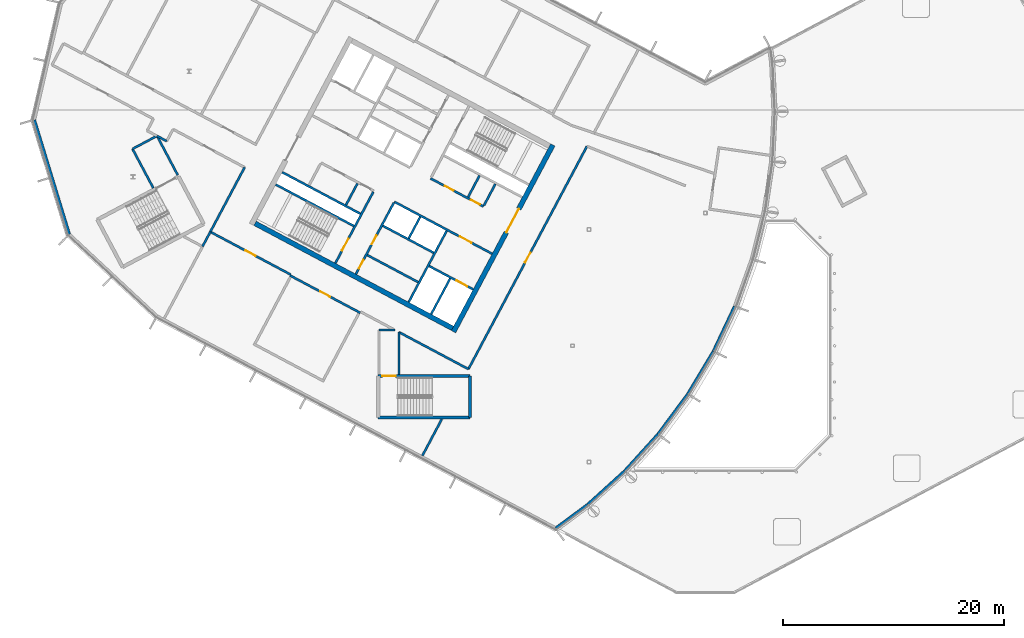
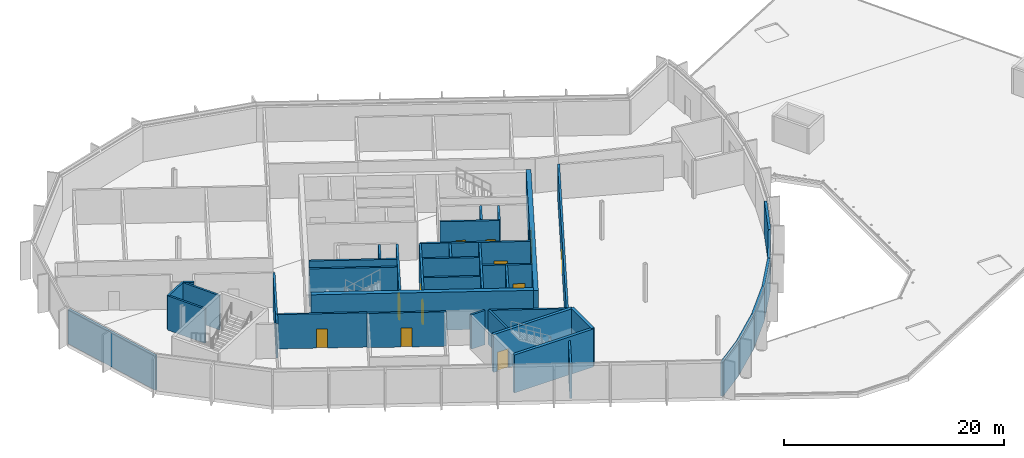
# One storey, part 5 of 16: 40 walls, 12 doors, 12 openings.
"""IFC4 building model written with IfcOpenShell, lengths in metres."""

import ifcopenshell
import ifcopenshell.guid

model = None  # the IFC model being written
_history = None  # IfcOwnerHistory: only IFC2X3 demands one
_inside = {}  # id of a spatial element -> (the spatial element, [elements in it])
_under = {}  # id of a project, library or spatial element -> (it, [spatial elements below it])
_declared = {}  # id of a project -> (the project, [libraries it declares])
_typed = {}  # id of a type object -> (the type object, [elements of that type])
_made_of = {}  # id of a material, layer set ... -> (it, [elements and type objects made of it])


def new_model(schema):
    """Start an empty IFC model of exactly this schema.

    Asked for "IFC4X3", IfcOpenShell would pick the latest addendum, in which some entities
    have other attributes; the version numbers below select the first issue.
    IFC2X3 requires an IfcOwnerHistory on every rooted entity: one is made here for all.
    """
    global model, _history
    if schema == "IFC4X3":
        model = ifcopenshell.file(schema_version=(4, 3, 0, 0))
    else:
        model = ifcopenshell.file(schema=schema)
    _inside.clear()
    _under.clear()
    _declared.clear()
    _typed.clear()
    _made_of.clear()
    _history = None
    if model.schema == "IFC2X3":
        org = make("IfcOrganization", Name="unknown")
        user = make(
            "IfcPersonAndOrganization",
            ThePerson=make("IfcPerson", FamilyName="unknown"),
            TheOrganization=org,
        )
        app = make(
            "IfcApplication",
            ApplicationDeveloper=org,
            Version="unknown",
            ApplicationFullName="unknown",
            ApplicationIdentifier="unknown",
        )
        _history = make(
            "IfcOwnerHistory",
            OwningUser=user,
            OwningApplication=app,
            ChangeAction="ADDED",
            CreationDate=0,
        )
    return model


def make(cls, **values):
    """One entity of the class cls with the attributes given. An attribute that is None is left unset."""
    return model.create_entity(
        cls, **{name: value for name, value in values.items() if value is not None}
    )


def rooted(cls, **values):
    """An entity with a GlobalId (a new one), such as an element, a storey or a relation."""
    return make(cls, GlobalId=ifcopenshell.guid.new(), OwnerHistory=_history, **values)


def si_unit(unit_type, name, prefix=None):
    """IfcSIUnit, for example si_unit("LENGTHUNIT", "METRE", prefix="MILLI")."""
    return make("IfcSIUnit", UnitType=unit_type, Prefix=prefix, Name=name)


def assignment(units):
    """IfcUnitAssignment: the units of a project."""
    return None if units is None else make("IfcUnitAssignment", Units=units)


def point(xyz):
    """IfcCartesianPoint."""
    return None if xyz is None else make("IfcCartesianPoint", Coordinates=xyz)


def direction(xyz):
    """IfcDirection."""
    return None if xyz is None else make("IfcDirection", DirectionRatios=xyz)


def frame(location, z_axis=None, x_axis=None):
    """IfcAxis2Placement3D, a coordinate frame: its origin and axes. An axis left out is left unset."""
    return make(
        "IfcAxis2Placement3D",
        Location=point(location),
        Axis=direction(z_axis),
        RefDirection=direction(x_axis),
    )


def frame_2d(location, x_axis=None):
    """IfcAxis2Placement2D, a coordinate frame in the plane: its origin and x axis."""
    return make(
        "IfcAxis2Placement2D", Location=point(location), RefDirection=direction(x_axis)
    )


def origin():
    """The frame at (0, 0, 0) with its axes left unset."""
    return frame((0.0, 0.0, 0.0))


def place(relative_to, where):
    """IfcLocalPlacement: puts the frame where relative to a parent placement (None: the world)."""
    return make(
        "IfcLocalPlacement", PlacementRelTo=relative_to, RelativePlacement=where
    )


def context(
    kind, dimensions, precision=None, world=None, true_north=None, identifier=None
):
    """IfcGeometricRepresentationContext, for example the 3D "Model" context."""
    return make(
        "IfcGeometricRepresentationContext",
        ContextIdentifier=identifier,
        ContextType=kind,
        CoordinateSpaceDimension=dimensions,
        Precision=precision,
        WorldCoordinateSystem=world,
        TrueNorth=true_north,
    )


def subcontext(parent, identifier, kind, view, scale=None):
    """IfcGeometricRepresentationSubContext, for example "Body" below "Model"."""
    return make(
        "IfcGeometricRepresentationSubContext",
        ContextIdentifier=identifier,
        ContextType=kind,
        ParentContext=parent,
        TargetScale=scale,
        TargetView=view,
    )


def project(units=None, contexts=None):
    """IfcProject with its units and contexts."""
    return rooted(
        "IfcProject",
        Name="project",
        RepresentationContexts=contexts,
        UnitsInContext=assignment(units),
    )


def spatial(cls, under=None, at=None, **own):
    """A site, building, storey or space (cls), placed at a placement, below another one or the project."""
    s = rooted(cls, ObjectPlacement=at, **own)
    if under is not None:
        _under.setdefault(under.id(), (under, []))[1].append(s)
    return s


def profile(cls, at=None, kind="AREA", **sizes):
    """A parametric profile (cls). Its sizes go by their IFC names, for example OverallWidth=200.0."""
    return make(cls, ProfileType=kind, Position=at, **sizes)


def rectangle(**sizes):
    """IfcRectangleProfileDef."""
    return profile("IfcRectangleProfileDef", **sizes)


def extrude(swept, where, along, depth):
    """IfcExtrudedAreaSolid: the profile swept, set in the frame where, extruded along a direction by depth."""
    return make(
        "IfcExtrudedAreaSolid",
        SweptArea=swept,
        Position=where,
        ExtrudedDirection=direction(along),
        Depth=depth,
    )


def shape(context_of_items, identifier, shape_type, items):
    """IfcShapeRepresentation: the items that make up one representation, for example the "Body"."""
    return make(
        "IfcShapeRepresentation",
        ContextOfItems=context_of_items,
        RepresentationIdentifier=identifier,
        RepresentationType=shape_type,
        Items=items,
    )


def material(Name=None, Category=None):
    """IfcMaterial."""
    return make("IfcMaterial", Name=Name, Category=Category)


def layer(
    of_material, thickness, ventilated=None, Name=None, Category=None, Priority=None
):
    """IfcMaterialLayer: one layer of a wall or slab, of a material (None: an air gap)."""
    return make(
        "IfcMaterialLayer",
        Material=of_material,
        LayerThickness=thickness,
        IsVentilated=ventilated,
        Name=Name,
        Category=Category,
        Priority=Priority,
    )


def layer_set(layers, Name=None):
    """IfcMaterialLayerSet."""
    return make("IfcMaterialLayerSet", MaterialLayers=layers, LayerSetName=Name)


def made_of(thing, what):
    """Note that an element or type object is made of a material, layer set ...; save() writes the relation."""
    if what is not None:
        _made_of.setdefault(what.id(), (what, []))[1].append(thing)
    return thing


def type_object(cls, material=None, **own):
    """A type object (cls), such as IfcWallType, which elements share."""
    return made_of(rooted(cls, **own), material)


def element(
    cls,
    number,
    at=None,
    inside=None,
    cuts=None,
    type_object=None,
    material=None,
    context=None,
    identifier="Body",
    shape_type=None,
    held_by="IfcProductDefinitionShape",
    body=None,
    shapes=None,
    **own,
):
    """One element of the class cls, such as IfcWall. Its Tag is "e" and its number.

    at: its placement. inside: the storey or other place that contains it. cuts: it is an
    opening in that element (IfcRelVoidsElement). A single representation is given by context,
    identifier, shape_type and body (its items); several are given by shapes. held_by: the class
    of the entity that holds the representations. save() writes the other relations.
    """
    e = rooted(cls, Tag="e%d" % number, ObjectPlacement=at, **own)
    if body is not None:
        shapes = [shape(context, identifier, shape_type, body)]
    if shapes is not None:
        e.Representation = make(held_by, Representations=shapes)
    if inside is not None:
        _inside.setdefault(inside.id(), (inside, []))[1].append(e)
    if cuts is not None:
        rooted(
            "IfcRelVoidsElement", RelatingBuildingElement=cuts, RelatedOpeningElement=e
        )
    if type_object is not None:
        _typed.setdefault(type_object.id(), (type_object, []))[1].append(e)
    return made_of(e, material)


def fill(opening, filler):
    """IfcRelFillsElement: the door or window that sits in an opening."""
    return rooted(
        "IfcRelFillsElement",
        RelatingOpeningElement=opening,
        RelatedBuildingElement=filler,
    )


def aggregate(whole, parts):
    """IfcRelAggregates: a whole, such as a stair, and the parts it consists of."""
    return rooted("IfcRelAggregates", RelatingObject=whole, RelatedObjects=parts)


def save(model, path):
    """Write the relations noted so far, then the file.

    IfcRelAggregates (storeys below a building ...), IfcRelContainedInSpatialStructure (elements
    in a storey), IfcRelDefinesByType, IfcRelAssociatesMaterial and IfcRelDeclares: one each for
    every whole, place, type object, material and project.
    """
    for whole, parts in _under.values():
        aggregate(whole, parts)
    for where, things in _inside.values():
        rooted(
            "IfcRelContainedInSpatialStructure",
            RelatedElements=things,
            RelatingStructure=where,
        )
    for kind, things in _typed.values():
        rooted("IfcRelDefinesByType", RelatedObjects=things, RelatingType=kind)
    for what, things in _made_of.values():
        rooted("IfcRelAssociatesMaterial", RelatedObjects=things, RelatingMaterial=what)
    for by, libraries in _declared.values():
        rooted("IfcRelDeclares", RelatingContext=by, RelatedDefinitions=libraries)
    model.write(path)


model = new_model("IFC4")

# Units and contexts
model_context = context("Model", 3, precision=1e-05, world=origin(), true_north=direction((0.0, 1.0)))
body_context = subcontext(model_context, "Body", "Model", "MODEL_VIEW")
ifc_project = project(units=[si_unit("LENGTHUNIT", "METRE"), si_unit("AREAUNIT", "SQUARE_METRE"), si_unit("VOLUMEUNIT", "CUBIC_METRE"), si_unit("PLANEANGLEUNIT", "RADIAN"), si_unit("MASSUNIT", "GRAM", prefix="KILO")], contexts=[model_context])

# Site, building, storey
site_placement = place(None, origin())
site = spatial("IfcSite", under=ifc_project, at=site_placement, CompositionType="ELEMENT")
building_placement = place(site_placement, origin())
building = spatial("IfcBuilding", under=site, at=building_placement, Name="Cormorant Relay Tower", CompositionType="ELEMENT")
storey_placement = place(building_placement, frame((0.0, 0.0, 328.199951171875)))
storey = spatial("IfcBuildingStorey", under=building, at=storey_placement, Name="C1", CompositionType="ELEMENT", Elevation=328.199951171875)

# Walls
ifc_material_1 = material(Name="Concrete 40 MPa", Category="concrete")
ifc_layer_1 = layer(ifc_material_1, 0.199951171875)
ifc_layer_set_1 = layer_set([ifc_layer_1], Name="Core internal wall 200")
wall_type_1 = type_object("IfcWallType", Name="Core internal wall 200", PredefinedType="SOLIDWALL", material=ifc_layer_set_1)
wall_1_placement = place(storey_placement, frame((-20.39013671875, 15.371826171875, 0.0), z_axis=(0.0, 0.0, 1.0), x_axis=(-0.4694473164, -0.882960484464, 0.0)))
element("IfcWall", 1, at=wall_1_placement, inside=storey, type_object=wall_type_1, Name="C1 core A shaft and room wall", PredefinedType="SOLIDWALL", context=body_context, shape_type="SweptSolid", body=[
    extrude(rectangle(XDim=2.199951171875, YDim=0.199951171875, at=frame_2d((1.10009765625, 0.0))), origin(), (0.0, 0.0, 1.0), 4.199951171875),
])
wall_2_placement = place(storey_placement, frame((-25.744140625, 11.64990234375, 0.0), z_axis=(0.0, 0.0, 1.0), x_axis=(-0.469487830541, -0.882938942948, 0.0)))
element("IfcWall", 2, at=wall_2_placement, inside=storey, type_object=wall_type_1, Name="C1 core A shaft and room wall", PredefinedType="SOLIDWALL", context=body_context, shape_type="SweptSolid", body=[
    extrude(rectangle(XDim=2.2001953125, YDim=0.199951171875, at=frame_2d((1.10009765625, 0.0))), origin(), (0.0, 0.0, 1.0), 4.199951171875),
])
wall_3_placement = place(storey_placement, frame((-31.41259765625, 14.663818359375, 0.0), z_axis=(0.0, 0.0, 1.0), x_axis=(-0.469533832133, -0.882914480843, 0.0)))
element("IfcWall", 3, at=wall_3_placement, inside=storey, type_object=wall_type_1, Name="C1 core A shaft and room wall", PredefinedType="SOLIDWALL", context=body_context, shape_type="SweptSolid", body=[
    extrude(rectangle(XDim=2.199951171875, YDim=0.199951171875, at=frame_2d((1.10009765625, 0.0))), origin(), (0.0, 0.0, 1.0), 4.199951171875),
])
wall_4_placement = place(storey_placement, frame((-25.936767578125, 5.74951171875, 0.0), z_axis=(0.0, 0.0, 1.0), x_axis=(-0.882934506056, 0.469496174655, 0.0)))
element("IfcWall", 4, at=wall_4_placement, inside=storey, type_object=wall_type_1, Name="C1 core A shaft and room wall", PredefinedType="SOLIDWALL", context=body_context, shape_type="SweptSolid", body=[
    extrude(rectangle(XDim=5.199951171875, YDim=0.199951171875, at=frame_2d((2.60009765625, 0.0))), origin(), (0.0, 0.0, 1.0), 4.199951171875),
])
ifc_material_2 = material(Name="Concrete 50 MPa", Category="concrete")
ifc_layer_2 = layer(ifc_material_2, 0.199951171875)
ifc_layer_set_2 = layer_set([ifc_layer_2], Name="Core shaft wall 200")
wall_type_2 = type_object("IfcWallType", Name="Core shaft wall 200", PredefinedType="SHEAR", material=ifc_layer_set_2)
wall_5_placement = place(storey_placement, frame((-23.04296875, 6.07958984375, 0.0), z_axis=(0.0, 0.0, 1.0), x_axis=(-0.469494272526, -0.882935517501, 0.0)))
element("IfcWall", 5, at=wall_5_placement, inside=storey, type_object=wall_type_2, Name="C1 core A shaft wall", PredefinedType="SHEAR", context=body_context, shape_type="SweptSolid", body=[
    extrude(rectangle(XDim=3.64990234375, YDim=0.199951171875, at=frame_2d((1.824951171875, 0.0))), origin(), (0.0, 0.0, 1.0), 4.199951171875),
])
wall_6_placement = place(storey_placement, frame((-18.959716796875, 14.611328125, 0.0), z_axis=(0.0, 0.0, 1.0), x_axis=(-0.4694473164, -0.882960484464, 0.0)))
element("IfcWall", 6, at=wall_6_placement, inside=storey, type_object=wall_type_2, Name="C1 core A shaft wall", PredefinedType="SHEAR", context=body_context, shape_type="SweptSolid", body=[
    extrude(rectangle(XDim=2.199951171875, YDim=0.199951171875, at=frame_2d((1.10009765625, 0.0))), origin(), (0.0, 0.0, 1.0), 4.199951171875),
])
wall_7_placement = place(storey_placement, frame((-23.360107421875, 10.38232421875, 0.0), z_axis=(0.0, 0.0, 1.0), x_axis=(-0.469480409012, -0.88294288918, 0.0)))
element("IfcWall", 7, at=wall_7_placement, inside=storey, type_object=wall_type_2, Name="C1 core A shaft wall", PredefinedType="SHEAR", context=body_context, shape_type="SweptSolid", body=[
    extrude(rectangle(XDim=7.300048828125, YDim=0.199951171875, at=frame_2d((3.64990234375, 0.0))), origin(), (0.0, 0.0, 1.0), 4.199951171875),
])

# Wall, openings, doors
wall_8_placement = place(storey_placement, frame((-28.128173828125, 12.91748046875, 0.0), z_axis=(0.0, 0.0, 1.0), x_axis=(-0.469454336211, -0.882956752176, 0.0)))
wall_8 = element("IfcWall", 8, at=wall_8_placement, inside=storey, type_object=wall_type_2, Name="C1 core A shaft wall", PredefinedType="SHEAR", context=body_context, shape_type="SweptSolid", body=[
    extrude(rectangle(XDim=7.300048828125, YDim=0.199951171875, at=frame_2d((3.64990234375, 0.0))), origin(), (0.0, 0.0, 1.0), 4.199951171875),
])
opening_1_placement = place(wall_8_placement, frame((3.35009765625, 0.0, 0.0)))
opening_1 = element("IfcOpeningElement", 9, at=opening_1_placement, cuts=wall_8, Name="Opening CDD-358", PredefinedType="OPENING", context=body_context, shape_type="SweptSolid", body=[
    extrude(rectangle(XDim=0.89990234375, YDim=2.10009765625, at=frame_2d((0.449951171875, 1.050048828125))), frame((0.0, 0.10986328125, 0.0), z_axis=(0.0, -1.0, 0.0), x_axis=(1.0, 0.0, 0.0)), (0.0, 0.0, 1.0), 0.219970703125),
])
opening_2_placement = place(wall_8_placement, frame((5.85009765625, 0.0, 0.0)))
opening_2 = element("IfcOpeningElement", 10, at=opening_2_placement, cuts=wall_8, Name="Opening CDD-359", PredefinedType="OPENING", context=body_context, shape_type="SweptSolid", body=[
    extrude(rectangle(XDim=0.89990234375, YDim=2.10009765625, at=frame_2d((0.449951171875, 1.050048828125))), frame((0.0, 0.10986328125, 0.0), z_axis=(0.0, -1.0, 0.0), x_axis=(1.0, 0.0, 0.0)), (0.0, 0.0, 1.0), 0.219970703125),
])
ifc_material_3 = material(Name="Steel fire door", Category="steel")
door_type_1 = type_object("IfcDoorType", Name="Core room door 900x2100", OperationType="SINGLE_SWING_LEFT", PredefinedType="DOOR", material=ifc_material_3)
door_1_placement = place(opening_1_placement, origin())
door_1 = element("IfcDoor", 11, at=door_1_placement, inside=storey, type_object=door_type_1, Name="Core room door 900x2100", OperationType="SINGLE_SWING_LEFT", OverallHeight=2.10009765625, OverallWidth=0.89990234375, PredefinedType="DOOR", context=body_context, shape_type="SweptSolid", body=[
    extrude(rectangle(XDim=0.89990234375, YDim=2.10009765625, at=frame_2d((0.449951171875, 1.050048828125))), frame((0.0, 0.02490234375, 0.0), z_axis=(0.0, -1.0, 0.0), x_axis=(1.0, 0.0, 0.0)), (0.0, 0.0, 1.0), 0.050048828125),
])
fill(opening_1, door_1)
door_2_placement = place(opening_2_placement, origin())
door_2 = element("IfcDoor", 12, at=door_2_placement, inside=storey, type_object=door_type_1, Name="Core room door 900x2100", OperationType="SINGLE_SWING_LEFT", OverallHeight=2.10009765625, OverallWidth=0.89990234375, PredefinedType="DOOR", context=body_context, shape_type="SweptSolid", body=[
    extrude(rectangle(XDim=0.89990234375, YDim=2.10009765625, at=frame_2d((0.449951171875, 1.050048828125))), frame((0.0, 0.02490234375, 0.0), z_axis=(0.0, -1.0, 0.0), x_axis=(1.0, 0.0, 0.0)), (0.0, 0.0, 1.0), 0.050048828125),
])
fill(opening_2, door_2)

# Wall, opening, door
wall_9_placement = place(storey_placement, frame((-29.982421875, 13.9033203125, 0.0), z_axis=(0.0, 0.0, 1.0), x_axis=(-0.469454336211, -0.882956752176, 0.0)))
wall_9 = element("IfcWall", 13, at=wall_9_placement, inside=storey, type_object=wall_type_2, Name="C1 core A shaft wall", PredefinedType="SHEAR", context=body_context, shape_type="SweptSolid", body=[
    extrude(rectangle(XDim=7.300048828125, YDim=0.199951171875, at=frame_2d((3.64990234375, 0.0))), origin(), (0.0, 0.0, 1.0), 4.199951171875),
])
opening_3_placement = place(wall_9_placement, frame((4.800048828125, 0.0, 0.0)))
opening_3 = element("IfcOpeningElement", 14, at=opening_3_placement, cuts=wall_9, Name="Opening CDB-045", PredefinedType="OPENING", context=body_context, shape_type="SweptSolid", body=[
    extrude(rectangle(XDim=1.199951171875, YDim=2.10009765625, at=frame_2d((0.60009765625, 1.050048828125))), frame((0.0, 0.10986328125, 0.0), z_axis=(0.0, -1.0, 0.0), x_axis=(1.0, 0.0, 0.0)), (0.0, 0.0, 1.0), 0.219970703125),
])
ifc_material_4 = material(Name="Steel fire door", Category="steel")
door_type_2 = type_object("IfcDoorType", Name="Core stair door 1200x2100", OperationType="SINGLE_SWING_LEFT", PredefinedType="DOOR", material=ifc_material_4)
door_3_placement = place(opening_3_placement, frame((1.199951171875, 0.0, 0.0), z_axis=(0.0, 0.0, 1.0), x_axis=(-1.0, 0.0, 0.0)))
door_3 = element("IfcDoor", 15, at=door_3_placement, inside=storey, type_object=door_type_2, Name="Core stair door 1200x2100", OperationType="SINGLE_SWING_RIGHT", OverallHeight=2.10009765625, OverallWidth=1.199951171875, PredefinedType="DOOR", context=body_context, shape_type="SweptSolid", body=[
    extrude(rectangle(XDim=1.199951171875, YDim=2.10009765625, at=frame_2d((0.60009765625, 1.050048828125))), frame((0.0, 0.02490234375, 0.0), z_axis=(0.0, -1.0, 0.0), x_axis=(1.0, 0.0, 0.0)), (0.0, 0.0, 1.0), 0.050048828125),
])
fill(opening_3, door_3)

# Wall, openings, doors
wall_10_placement = place(storey_placement, frame((-20.03955078125, 12.58056640625, 0.0), z_axis=(0.0, 0.0, 1.0), x_axis=(-0.882942972946, 0.469480251476, 0.0)))
wall_10 = element("IfcWall", 16, at=wall_10_placement, inside=storey, type_object=wall_type_2, Name="C1 core A shaft wall", PredefinedType="SHEAR", context=body_context, shape_type="SweptSolid", body=[
    extrude(rectangle(XDim=5.39990234375, YDim=0.199951171875, at=frame_2d((2.699951171875, 0.0))), origin(), (0.0, 0.0, 1.0), 4.199951171875),
])
opening_4_placement = place(wall_10_placement, frame((0.360107421875, 0.0, 0.0)))
opening_4 = element("IfcOpeningElement", 17, at=opening_4_placement, cuts=wall_10, Name="Opening CDD-356", PredefinedType="OPENING", context=body_context, shape_type="SweptSolid", body=[
    extrude(rectangle(XDim=0.89990234375, YDim=2.10009765625, at=frame_2d((0.449951171875, 1.050048828125))), frame((0.0, 0.10986328125, 0.0), z_axis=(0.0, -1.0, 0.0), x_axis=(1.0, 0.0, 0.0)), (0.0, 0.0, 1.0), 0.219970703125),
])
opening_5_placement = place(wall_10_placement, frame((3.06005859375, 0.0, 0.0)))
opening_5 = element("IfcOpeningElement", 18, at=opening_5_placement, cuts=wall_10, Name="Opening CDD-357", PredefinedType="OPENING", context=body_context, shape_type="SweptSolid", body=[
    extrude(rectangle(XDim=0.89990234375, YDim=2.10009765625, at=frame_2d((0.449951171875, 1.050048828125))), frame((0.0, 0.10986328125, 0.0), z_axis=(0.0, -1.0, 0.0), x_axis=(1.0, 0.0, 0.0)), (0.0, 0.0, 1.0), 0.219970703125),
])
door_4_placement = place(opening_4_placement, frame((0.89990234375, 0.0, 0.0), z_axis=(0.0, 0.0, 1.0), x_axis=(-1.0, 0.0, 0.0)))
door_4 = element("IfcDoor", 19, at=door_4_placement, inside=storey, type_object=door_type_1, Name="Core room door 900x2100", OperationType="SINGLE_SWING_RIGHT", OverallHeight=2.10009765625, OverallWidth=0.89990234375, PredefinedType="DOOR", context=body_context, shape_type="SweptSolid", body=[
    extrude(rectangle(XDim=0.89990234375, YDim=2.10009765625, at=frame_2d((0.449951171875, 1.050048828125))), frame((0.0, 0.02490234375, 0.0), z_axis=(0.0, -1.0, 0.0), x_axis=(1.0, 0.0, 0.0)), (0.0, 0.0, 1.0), 0.050048828125),
])
fill(opening_4, door_4)
door_5_placement = place(opening_5_placement, frame((0.89990234375, 0.0, 0.0), z_axis=(0.0, 0.0, 1.0), x_axis=(-1.0, 0.0, 0.0)))
door_5 = element("IfcDoor", 20, at=door_5_placement, inside=storey, type_object=door_type_1, Name="Core room door 900x2100", OperationType="SINGLE_SWING_RIGHT", OverallHeight=2.10009765625, OverallWidth=0.89990234375, PredefinedType="DOOR", context=body_context, shape_type="SweptSolid", body=[
    extrude(rectangle(XDim=0.89990234375, YDim=2.10009765625, at=frame_2d((0.449951171875, 1.050048828125))), frame((0.0, 0.02490234375, 0.0), z_axis=(0.0, -1.0, 0.0), x_axis=(1.0, 0.0, 0.0)), (0.0, 0.0, 1.0), 0.050048828125),
])
fill(opening_5, door_5)

# Wall, opening, door
wall_11_placement = place(storey_placement, frame((-19.251708984375, 8.31103515625, 0.0), z_axis=(0.0, 0.0, 1.0), x_axis=(-0.882955722218, 0.469456273365, 0.0)))
wall_11 = element("IfcWall", 21, at=wall_11_placement, inside=storey, type_object=wall_type_2, Name="C1 core A shaft wall", PredefinedType="SHEAR", context=body_context, shape_type="SweptSolid", body=[
    extrude(rectangle(XDim=10.0, YDim=0.199951171875, at=frame_2d((5.0, 0.0))), origin(), (0.0, 0.0, 1.0), 4.199951171875),
])
opening_6_placement = place(wall_11_placement, frame((2.10009765625, 0.0, 0.0)))
opening_6 = element("IfcOpeningElement", 22, at=opening_6_placement, cuts=wall_11, Name="Opening CDC-040", PredefinedType="OPENING", context=body_context, shape_type="SweptSolid", body=[
    extrude(rectangle(XDim=1.199951171875, YDim=2.10009765625, at=frame_2d((0.60009765625, 1.050048828125))), frame((0.0, 0.10986328125, 0.0), z_axis=(0.0, -1.0, 0.0), x_axis=(1.0, 0.0, 0.0)), (0.0, 0.0, 1.0), 0.219970703125),
])
ifc_material_5 = material(Name="Steel fire door", Category="steel")
door_type_3 = type_object("IfcDoorType", Name="Core lobby door 1200x2100", OperationType="SINGLE_SWING_LEFT", PredefinedType="DOOR", material=ifc_material_5)
door_6_placement = place(opening_6_placement, origin())
door_6 = element("IfcDoor", 23, at=door_6_placement, inside=storey, type_object=door_type_3, Name="Core lobby door 1200x2100", OperationType="SINGLE_SWING_RIGHT", OverallHeight=2.10009765625, OverallWidth=1.199951171875, PredefinedType="DOOR", context=body_context, shape_type="SweptSolid", body=[
    extrude(rectangle(XDim=1.199951171875, YDim=2.10009765625, at=frame_2d((0.60009765625, 1.050048828125))), frame((0.0, 0.02490234375, 0.0), z_axis=(0.0, -1.0, 0.0), x_axis=(1.0, 0.0, 0.0)), (0.0, 0.0, 1.0), 0.050048828125),
])
fill(opening_6, door_6)

# Walls
wall_12_placement = place(storey_placement, frame((-24.5283203125, 8.3984375, 0.0), z_axis=(0.0, 0.0, 1.0), x_axis=(-0.882953967957, 0.469459572775, 0.0)))
element("IfcWall", 24, at=wall_12_placement, inside=storey, type_object=wall_type_2, Name="C1 core A shaft wall", PredefinedType="SHEAR", context=body_context, shape_type="SweptSolid", body=[
    extrude(rectangle(XDim=5.199951171875, YDim=0.199951171875, at=frame_2d((2.60009765625, 0.0))), origin(), (0.0, 0.0, 1.0), 4.199951171875),
])
wall_13_placement = place(storey_placement, frame((-31.150390625, 11.91943359375, 0.0), z_axis=(0.0, 0.0, 1.0), x_axis=(-0.882940221191, 0.469485426614, 0.0)))
element("IfcWall", 25, at=wall_13_placement, inside=storey, type_object=wall_type_2, Name="C1 core A shaft wall", PredefinedType="SHEAR", context=body_context, shape_type="SweptSolid", body=[
    extrude(rectangle(XDim=8.0, YDim=0.199951171875, at=frame_2d((4.0, 0.0))), origin(), (0.0, 0.0, 1.0), 4.199951171875),
])

# Wall, opening, door
wall_14_placement = place(storey_placement, frame((-20.96533203125, 5.088134765625, 0.0), z_axis=(0.0, 0.0, 1.0), x_axis=(-0.882925986334, 0.469512196493, 0.0)))
wall_14 = element("IfcWall", 26, at=wall_14_placement, inside=storey, type_object=wall_type_2, Name="C1 core A shaft wall", PredefinedType="SHEAR", context=body_context, shape_type="SweptSolid", body=[
    extrude(rectangle(XDim=4.5, YDim=0.199951171875, at=frame_2d((2.25, 0.0))), origin(), (0.0, 0.0, 1.0), 4.199951171875),
])
opening_7_placement = place(wall_14_placement, frame((0.60009765625, 0.0, 0.0)))
opening_7 = element("IfcOpeningElement", 27, at=opening_7_placement, cuts=wall_14, Name="Opening LD1-069", PredefinedType="OPENING", context=body_context, shape_type="SweptSolid", body=[
    extrude(rectangle(XDim=1.10009765625, YDim=2.10009765625, at=frame_2d((0.550048828125, 1.050048828125))), frame((0.0, 0.10986328125, 0.0), z_axis=(0.0, -1.0, 0.0), x_axis=(1.0, 0.0, 0.0)), (0.0, 0.0, 1.0), 0.219970703125),
])
ifc_material_6 = material(Name="Stainless steel 316", Category="steel")
door_type_4 = type_object("IfcDoorType", Name="Lift landing door 1100x2100", OperationType="DOUBLE_DOOR_SLIDING", PredefinedType="DOOR", material=ifc_material_6)
door_7_placement = place(opening_7_placement, origin())
door_7 = element("IfcDoor", 28, at=door_7_placement, inside=storey, type_object=door_type_4, Name="FF1 landing door", OperationType="DOUBLE_DOOR_SLIDING", OverallHeight=2.10009765625, OverallWidth=1.10009765625, PredefinedType="DOOR", context=body_context, shape_type="SweptSolid", body=[
    extrude(rectangle(XDim=1.10009765625, YDim=2.10009765625, at=frame_2d((0.550048828125, 1.050048828125))), frame((0.0, 0.02490234375, 0.0), z_axis=(0.0, -1.0, 0.0), x_axis=(1.0, 0.0, 0.0)), (0.0, 0.0, 1.0), 0.050048828125),
])
fill(opening_7, door_7)

# Wall
wall_15_placement = place(storey_placement, frame((-31.7373046875, 10.815673828125, 0.0), z_axis=(0.0, 0.0, 1.0), x_axis=(-0.882940221191, 0.469485426614, 0.0)))
element("IfcWall", 29, at=wall_15_placement, inside=storey, type_object=wall_type_2, Name="C1 core A shaft wall", PredefinedType="SHEAR", context=body_context, shape_type="SweptSolid", body=[
    extrude(rectangle(XDim=8.0, YDim=0.199951171875, at=frame_2d((4.0, 0.0))), origin(), (0.0, 0.0, 1.0), 4.199951171875),
])

# Wall, opening, door
ifc_material_7 = material(Name="Concrete 50 MPa", Category="concrete")
ifc_layer_3 = layer(ifc_material_7, 0.449951171875)
ifc_layer_set_3 = layer_set([ifc_layer_3], Name="Core wall 450")
wall_type_3 = type_object("IfcWallType", Name="Core wall 450", PredefinedType="SHEAR", material=ifc_layer_set_3)
wall_16_placement = place(storey_placement, frame((-13.771484375, 18.138427734375, 0.0), z_axis=(0.0, 0.0, 1.0), x_axis=(-0.469467968382, -0.882949504028, 0.0)))
wall_16 = element("IfcWall", 30, at=wall_16_placement, inside=storey, type_object=wall_type_3, Name="C1 core A wall", PredefinedType="SHEAR", context=body_context, shape_type="SweptSolid", body=[
    extrude(rectangle(XDim=19.099853515625, YDim=0.449951171875, at=frame_2d((9.5498046875, 0.0))), origin(), (0.0, 0.0, 1.0), 4.199951171875),
])
opening_8_placement = place(wall_16_placement, frame((6.550048828125, 0.0, 0.0)))
opening_8 = element("IfcOpeningElement", 31, at=opening_8_placement, cuts=wall_16, Name="Opening CDA-058", PredefinedType="OPENING", context=body_context, shape_type="SweptSolid", body=[
    extrude(rectangle(XDim=2.39990234375, YDim=2.39990234375, at=frame_2d((1.199951171875, 1.199951171875))), frame((0.0, 0.23486328125, 0.0), z_axis=(0.0, -1.0, 0.0), x_axis=(1.0, 0.0, 0.0)), (0.0, 0.0, 1.0), 0.469970703125),
])
ifc_material_8 = material(Name="Steel fire door", Category="steel")
door_type_5 = type_object("IfcDoorType", Name="Core lobby door 2400x2400", OperationType="DOUBLE_DOOR_SINGLE_SWING", PredefinedType="DOOR", material=ifc_material_8)
door_8_placement = place(opening_8_placement, frame((2.39990234375, 0.0, 0.0), z_axis=(0.0, 0.0, 1.0), x_axis=(-1.0, 0.0, 0.0)))
door_8 = element("IfcDoor", 32, at=door_8_placement, inside=storey, type_object=door_type_5, Name="Core lobby door 2400x2400", OperationType="DOUBLE_DOOR_SINGLE_SWING", OverallHeight=2.39990234375, OverallWidth=2.39990234375, PredefinedType="DOOR", context=body_context, shape_type="SweptSolid", body=[
    extrude(rectangle(XDim=2.39990234375, YDim=2.39990234375, at=frame_2d((1.199951171875, 1.199951171875))), frame((0.0, 0.02490234375, 0.0), z_axis=(0.0, -1.0, 0.0), x_axis=(1.0, 0.0, 0.0)), (0.0, 0.0, 1.0), 0.050048828125),
])
fill(opening_8, door_8)

# Wall
wall_17_placement = place(storey_placement, frame((-22.83154296875, 1.578369140625, 0.0), z_axis=(0.0, 0.0, 1.0), x_axis=(-0.88294509198, 0.469476266226, 0.0)))
element("IfcWall", 33, at=wall_17_placement, inside=storey, type_object=wall_type_3, Name="C1 core A wall", PredefinedType="SHEAR", context=body_context, shape_type="SweptSolid", body=[
    extrude(rectangle(XDim=20.199951171875, YDim=0.449951171875, at=frame_2d((10.10009765625, 0.0))), origin(), (0.0, 0.0, 1.0), 4.199951171875),
])

# Wall, opening, door
ifc_material_9 = material(Name="Concrete 30 MPa block wall", Category="concrete")
ifc_layer_4 = layer(ifc_material_9, 0.199951171875)
ifc_layer_set_4 = layer_set([ifc_layer_4], Name="Crown plant room wall 200")
wall_type_4 = type_object("IfcWallType", Name="Crown plant room wall 200", PredefinedType="PARTITIONING", material=ifc_layer_set_4)
wall_18_placement = place(storey_placement, frame((-31.15087890625, 2.972412109375, 0.0), z_axis=(0.0, 0.0, 1.0), x_axis=(-0.882950149473, 0.469466754463, 0.0)))
wall_18 = element("IfcWall", 34, at=wall_18_placement, inside=storey, type_object=wall_type_4, Name="Plant room wall", PredefinedType="PARTITIONING", context=body_context, shape_type="SweptSolid", body=[
    extrude(rectangle(XDim=7.199951171875, YDim=0.199951171875, at=frame_2d((3.60009765625, 0.0))), origin(), (0.0, 0.0, 1.0), 3.7998046875),
])
opening_9_placement = place(wall_18_placement, frame((3.10009765625, 0.0, 0.0)))
opening_9 = element("IfcOpeningElement", 35, at=opening_9_placement, cuts=wall_18, Name="Opening CRD1-001", PredefinedType="OPENING", context=body_context, shape_type="SweptSolid", body=[
    extrude(rectangle(XDim=1.0, YDim=2.10009765625, at=frame_2d((0.5, 1.050048828125))), frame((0.0, 0.10986328125, 0.0), z_axis=(0.0, -1.0, 0.0), x_axis=(1.0, 0.0, 0.0)), (0.0, 0.0, 1.0), 0.219970703125),
])
ifc_material_10 = material(Name="Galvanised sheet steel ASTM A653 framed door leaf", Category="steel")
door_type_6 = type_object("IfcDoorType", Name="Crown door single 1000", OperationType="SINGLE_SWING_LEFT", PredefinedType="DOOR", material=ifc_material_10)
door_9_placement = place(opening_9_placement, origin())
door_9 = element("IfcDoor", 36, at=door_9_placement, inside=storey, type_object=door_type_6, Name="Air handling plant room door", OperationType="SINGLE_SWING_LEFT", OverallHeight=2.10009765625, OverallWidth=1.0, PredefinedType="DOOR", context=body_context, shape_type="SweptSolid", body=[
    extrude(rectangle(XDim=1.0, YDim=2.10009765625, at=frame_2d((0.5, 1.050048828125))), frame((0.0, 0.02490234375, 0.0), z_axis=(0.0, -1.0, 0.0), x_axis=(1.0, 0.0, 0.0)), (0.0, 0.0, 1.0), 0.050048828125),
])
fill(opening_9, door_9)

# Walls
wall_19_placement = place(storey_placement, frame((-49.851806640625, 14.248291015625, 0.0), z_axis=(0.0, 0.0, 1.0), x_axis=(-0.469510728702, 0.882926766858, 0.0)))
element("IfcWall", 37, at=wall_19_placement, inside=storey, type_object=wall_type_4, Name="Plant room wall", PredefinedType="PARTITIONING", context=body_context, shape_type="SweptSolid", body=[
    extrude(rectangle(XDim=3.999755859375, YDim=0.199951171875, at=frame_2d((2.0, 0.0))), origin(), (0.0, 0.0, 1.0), 3.7998046875),
])
wall_20_placement = place(storey_placement, frame((-51.729736328125, 17.77978515625, 0.0), z_axis=(0.0, 0.0, 1.0), x_axis=(0.882878437933, 0.469601601182, 0.0)))
element("IfcWall", 38, at=wall_20_placement, inside=storey, type_object=wall_type_4, Name="Plant room wall", PredefinedType="PARTITIONING", context=body_context, shape_type="SweptSolid", body=[
    extrude(rectangle(XDim=2.492431640625, YDim=0.199951171875, at=frame_2d((1.24609375, 0.0))), origin(), (0.0, 0.0, 1.0), 3.7998046875),
])
wall_21_placement = place(storey_placement, frame((-44.701171875, 10.29052734375, 0.0), z_axis=(0.0, 0.0, 1.0), x_axis=(0.469444770229, 0.882961838193, 0.0)))
element("IfcWall", 39, at=wall_21_placement, inside=storey, type_object=wall_type_4, Name="Plant room wall", PredefinedType="PARTITIONING", context=body_context, shape_type="SweptSolid", body=[
    extrude(rectangle(XDim=6.595947265625, YDim=0.199951171875, at=frame_2d((3.2978515625, 0.0))), origin(), (0.0, 0.0, 1.0), 3.7998046875),
])
wall_22_placement = place(storey_placement, frame((-48.639404296875, 18.484375, 0.0), z_axis=(0.0, 0.0, 1.0), x_axis=(-0.883070878111, 0.469239623467, 0.0)))
element("IfcWall", 40, at=wall_22_placement, inside=storey, type_object=wall_type_4, Name="Plant room wall", PredefinedType="PARTITIONING", context=body_context, shape_type="SweptSolid", body=[
    extrude(rectangle(XDim=0.987060546875, YDim=0.199951171875, at=frame_2d((0.49365234375, 0.0))), origin(), (0.0, 0.0, 1.0), 3.7998046875),
])
wall_23_placement = place(storey_placement, frame((-49.510986328125, 18.947509765625, 0.0), z_axis=(0.0, 0.0, 1.0), x_axis=(0.467853974405, -0.883805781059, 0.0)))
element("IfcWall", 41, at=wall_23_placement, inside=storey, type_object=wall_type_4, Name="Plant room wall", PredefinedType="PARTITIONING", context=body_context, shape_type="SweptSolid", body=[
    extrude(rectangle(XDim=3.98876953125, YDim=0.199951171875, at=frame_2d((1.994384765625, 0.0))), origin(), (0.0, 0.0, 1.0), 3.7998046875),
])
wall_24_placement = place(storey_placement, frame((-29.47509765625, 1.4248046875, 0.0), z_axis=(0.0, 0.0, 1.0), x_axis=(0.999999985454, 0.000170561144, 0.0)))
element("IfcWall", 42, at=wall_24_placement, inside=storey, type_object=wall_type_4, Name="Plant room wall", PredefinedType="PARTITIONING", context=body_context, shape_type="SweptSolid", body=[
    extrude(rectangle(XDim=1.431396484375, YDim=0.199951171875, at=frame_2d((0.7158203125, 0.0))), origin(), (0.0, 0.0, 1.0), 3.7998046875),
])

# Wall, opening, door
wall_25_placement = place(storey_placement, frame((-37.443603515625, 6.431396484375, 0.0), z_axis=(0.0, 0.0, 1.0), x_axis=(-0.88293683547, 0.469491793934, 0.0)))
wall_25 = element("IfcWall", 43, at=wall_25_placement, inside=storey, type_object=wall_type_4, Name="Plant room wall", PredefinedType="PARTITIONING", context=body_context, shape_type="SweptSolid", body=[
    extrude(rectangle(XDim=8.2197265625, YDim=0.199951171875, at=frame_2d((4.10986328125, 0.0))), origin(), (0.0, 0.0, 1.0), 3.7998046875),
])
opening_10_placement = place(wall_25_placement, frame((3.610107421875, 0.0, 0.0)))
opening_10 = element("IfcOpeningElement", 44, at=opening_10_placement, cuts=wall_25, Name="Opening CRD1-009", PredefinedType="OPENING", context=body_context, shape_type="SweptSolid", body=[
    extrude(rectangle(XDim=1.0, YDim=2.10009765625, at=frame_2d((0.5, 1.050048828125))), frame((0.0, 0.10986328125, 0.0), z_axis=(0.0, -1.0, 0.0), x_axis=(1.0, 0.0, 0.0)), (0.0, 0.0, 1.0), 0.219970703125),
])
door_10_placement = place(opening_10_placement, origin())
door_10 = element("IfcDoor", 45, at=door_10_placement, inside=storey, type_object=door_type_6, Name="Cable entry room door", OperationType="SINGLE_SWING_LEFT", OverallHeight=2.10009765625, OverallWidth=1.0, PredefinedType="DOOR", context=body_context, shape_type="SweptSolid", body=[
    extrude(rectangle(XDim=1.0, YDim=2.10009765625, at=frame_2d((0.5, 1.050048828125))), frame((0.0, 0.02490234375, 0.0), z_axis=(0.0, -1.0, 0.0), x_axis=(1.0, 0.0, 0.0)), (0.0, 0.0, 1.0), 0.050048828125),
])
fill(opening_10, door_10)

wall_26_placement = place(storey_placement, frame((-10.68701171875, 18.021240234375, 0.0), z_axis=(0.0, 0.0, 1.0), x_axis=(-0.469602315344, -0.882878058071, 0.0)))
wall_26 = element("IfcWall", 46, at=wall_26_placement, inside=storey, type_object=wall_type_4, Name="Plant room wall", PredefinedType="PARTITIONING", context=body_context, shape_type="SweptSolid", body=[
    extrude(rectangle(XDim=22.79443359375, YDim=0.199951171875, at=frame_2d((11.397216796875, 0.0))), origin(), (0.0, 0.0, 1.0), 3.7998046875),
])
opening_11_placement = place(wall_26_placement, frame((10.897216796875, 0.0, 0.0)))
opening_11 = element("IfcOpeningElement", 47, at=opening_11_placement, cuts=wall_26, Name="Opening CRD1-011", PredefinedType="OPENING", context=body_context, shape_type="SweptSolid", body=[
    extrude(rectangle(XDim=1.0, YDim=2.10009765625, at=frame_2d((0.5, 1.050048828125))), frame((0.0, 0.10986328125, 0.0), z_axis=(0.0, -1.0, 0.0), x_axis=(1.0, 0.0, 0.0)), (0.0, 0.0, 1.0), 0.219970703125),
])
door_11_placement = place(opening_11_placement, origin())
door_11 = element("IfcDoor", 48, at=door_11_placement, inside=storey, type_object=door_type_6, Name="Telecom equipment hall door", OperationType="SINGLE_SWING_LEFT", OverallHeight=2.10009765625, OverallWidth=1.0, PredefinedType="DOOR", context=body_context, shape_type="SweptSolid", body=[
    extrude(rectangle(XDim=1.0, YDim=2.10009765625, at=frame_2d((0.5, 1.050048828125))), frame((0.0, 0.02490234375, 0.0), z_axis=(0.0, -1.0, 0.0), x_axis=(1.0, 0.0, 0.0)), (0.0, 0.0, 1.0), 0.050048828125),
])
fill(opening_11, door_11)

# Walls
wall_27_placement = place(storey_placement, frame((-21.391357421875, -2.103515625, 0.0), z_axis=(0.0, 0.0, 1.0), x_axis=(-0.882952949239, 0.469461488761, 0.0)))
element("IfcWall", 49, at=wall_27_placement, inside=storey, type_object=wall_type_4, Name="Plant room wall", PredefinedType="PARTITIONING", context=body_context, shape_type="SweptSolid", body=[
    extrude(rectangle(XDim=7.110107421875, YDim=0.199951171875, at=frame_2d((3.55517578125, 0.0))), origin(), (0.0, 0.0, 1.0), 3.7998046875),
])
wall_28_placement = place(storey_placement, frame((-27.669189453125, 1.234375, 0.0), z_axis=(0.0, 0.0, 1.0), x_axis=(-0.001538163918, -0.999998817025, 0.0)))
element("IfcWall", 50, at=wall_28_placement, inside=storey, type_object=wall_type_4, Name="Plant room wall", PredefinedType="PARTITIONING", context=body_context, shape_type="SweptSolid", body=[
    extrude(rectangle(XDim=3.809326171875, YDim=0.199951171875, at=frame_2d((1.90478515625, 0.0))), origin(), (0.0, 0.0, 1.0), 3.7998046875),
])
wall_29_placement = place(storey_placement, frame((-44.69287109375, 10.30859375, 0.0), z_axis=(0.0, 0.0, 1.0), x_axis=(-0.469445048606, -0.882961690188, 0.0)))
element("IfcWall", 51, at=wall_29_placement, inside=storey, type_object=wall_type_4, Name="Plant room wall", PredefinedType="PARTITIONING", context=body_context, shape_type="SweptSolid", body=[
    extrude(rectangle(XDim=1.51904296875, YDim=0.199951171875, at=frame_2d((0.759521484375, 0.0))), origin(), (0.0, 0.0, 1.0), 3.7998046875),
])
wall_30_placement = place(storey_placement, frame((-23.796630859375, -6.625, 0.0), z_axis=(0.0, 0.0, 1.0), x_axis=(-0.469466372195, -0.882950352726, 0.0)))
element("IfcWall", 52, at=wall_30_placement, inside=storey, type_object=wall_type_4, Name="Plant room wall", PredefinedType="PARTITIONING", context=body_context, shape_type="SweptSolid", body=[
    extrude(rectangle(XDim=3.728759765625, YDim=0.199951171875, at=frame_2d((1.8642578125, 0.0))), origin(), (0.0, 0.0, 1.0), 3.7998046875),
])
ifc_material_11 = material(Name="Bronze cladding on Concrete 30 MPa block wall", Category="concrete")
ifc_layer_5 = layer(ifc_material_11, 0.25)
ifc_layer_set_5 = layer_set([ifc_layer_5], Name="Crown wall 250")
wall_type_5 = type_object("IfcWallType", Name="Crown wall 250", PredefinedType="STANDARD", material=ifc_layer_set_5)
wall_31_placement = place(storey_placement, frame((-57.431884765625, 10.06640625, 0.0), z_axis=(0.0, 0.0, 1.0), x_axis=(-0.292379862982, 0.956302261695, 0.0)))
element("IfcWall", 53, at=wall_31_placement, inside=storey, type_object=wall_type_5, Name="Crown wall C1", PredefinedType="STANDARD", context=body_context, shape_type="SweptSolid", body=[
    extrude(rectangle(XDim=10.803466796875, YDim=0.25, at=frame_2d((5.40185546875, 0.0))), origin(), (0.0, 0.0, 1.0), 3.7998046875),
])
for number, where, z_axis, x_axis, name in (
    (54, (2.650146484375, 3.57080078125, 0.0), (0.0, 0.0, 1.0), (-0.427540787647, -0.903996059117, 0.0), "Crown wall C1"),
    (55, (0.725341796875, -0.4990234375, 0.0), (0.0, 0.0, 1.0), (-0.514088981588, -0.857736858838, 0.0), "Crown wall C1"),
    (56, (-1.589111328125, -4.360595703125, 0.0), (0.0, 0.0, 1.0), (-0.595713780135, -0.80319679541, 0.0), "Crown wall C1"),
    (57, (-4.27099609375, -7.9765625, 0.0), (0.0, 0.0, 1.0), (-0.671546409099, -0.740962495964, 0.0), "Crown wall C1"),
    (58, (-7.294189453125, -11.312255859375, 0.0), (0.0, 0.0, 1.0), (-0.740962495964, -0.671546409099, 0.0), "Crown wall C1"),
):
    element("IfcWall", number, at=place(storey_placement, frame(where, z_axis=z_axis, x_axis=x_axis)), inside=storey, type_object=wall_type_5, Name=name, PredefinedType="STANDARD", context=body_context, shape_type="SweptSolid", body=[
        extrude(rectangle(XDim=4.501953125, YDim=0.25, at=frame_2d((2.2509765625, 0.0))), origin(), (0.0, 0.0, 1.0), 3.7998046875),
    ])
wall_32_placement = place(storey_placement, frame((-10.6298828125, -14.33544921875, 0.0), z_axis=(0.0, 0.0, 1.0), x_axis=(-0.80322666935, -0.595673499197, 0.0)))
element("IfcWall", 59, at=wall_32_placement, inside=storey, type_object=wall_type_5, Name="Crown wall C1", PredefinedType="STANDARD", context=body_context, shape_type="SweptSolid", body=[
    extrude(rectangle(XDim=3.573486328125, YDim=0.25, at=frame_2d((1.78662109375, 0.0))), origin(), (0.0, 0.0, 1.0), 3.7998046875),
])
ifc_material_12 = material(Name="Concrete 50 MPa", Category="concrete")
ifc_layer_6 = layer(ifc_material_12, 0.300048828125)
ifc_layer_set_6 = layer_set([ifc_layer_6], Name="Remote stair wall 300")
wall_type_6 = type_object("IfcWallType", Name="Remote stair wall 300", PredefinedType="SHEAR", material=ifc_layer_set_6)
wall_33_placement = place(storey_placement, frame((-21.25, -2.72509765625, 0.0), z_axis=(0.0, 0.0, 1.0), x_axis=(0.0, -1.0, 0.0)))
element("IfcWall", 60, at=wall_33_placement, inside=storey, type_object=wall_type_6, Name="C1 exit stair RC1 wall", PredefinedType="SHEAR", context=body_context, shape_type="SweptSolid", body=[
    extrude(rectangle(XDim=3.75, YDim=0.300048828125, at=frame_2d((1.875, 0.0))), origin(), (0.0, 0.0, 1.0), 4.199951171875),
])
wall_34_placement = place(storey_placement, frame((-21.25, -6.47509765625, 0.0), z_axis=(0.0, 0.0, 1.0), x_axis=(-1.0, 0.0, 0.0)))
element("IfcWall", 61, at=wall_34_placement, inside=storey, type_object=wall_type_6, Name="C1 exit stair RC1 wall", PredefinedType="SHEAR", context=body_context, shape_type="SweptSolid", body=[
    extrude(rectangle(XDim=8.300048828125, YDim=0.300048828125, at=frame_2d((4.14990234375, 0.0))), origin(), (0.0, 0.0, 1.0), 4.199951171875),
])

# Wall, opening, door
wall_35_placement = place(storey_placement, frame((-29.550048828125, -2.72509765625, 0.0), z_axis=(0.0, 0.0, 1.0), x_axis=(1.0, 0.0, 0.0)))
wall_35 = element("IfcWall", 62, at=wall_35_placement, inside=storey, type_object=wall_type_6, Name="C1 exit stair RC1 wall", PredefinedType="SHEAR", context=body_context, shape_type="SweptSolid", body=[
    extrude(rectangle(XDim=8.300048828125, YDim=0.300048828125, at=frame_2d((4.14990234375, 0.0))), origin(), (0.0, 0.0, 1.0), 4.199951171875),
])
opening_12_placement = place(wall_35_placement, frame((0.375, 0.0, 0.0)))
opening_12 = element("IfcOpeningElement", 63, at=opening_12_placement, cuts=wall_35, Name="Opening CDB-046", PredefinedType="OPENING", context=body_context, shape_type="SweptSolid", body=[
    extrude(rectangle(XDim=1.199951171875, YDim=2.10009765625, at=frame_2d((0.60009765625, 1.050048828125))), frame((0.0, 0.159912109375, 0.0), z_axis=(0.0, -1.0, 0.0), x_axis=(1.0, 0.0, 0.0)), (0.0, 0.0, 1.0), 0.320068359375),
])
door_12_placement = place(opening_12_placement, frame((1.199951171875, 0.0, 0.0), z_axis=(0.0, 0.0, 1.0), x_axis=(-1.0, 0.0, 0.0)))
door_12 = element("IfcDoor", 64, at=door_12_placement, inside=storey, type_object=door_type_2, Name="Exit stair RC1 door", OperationType="SINGLE_SWING_RIGHT", OverallHeight=2.10009765625, OverallWidth=1.199951171875, PredefinedType="DOOR", context=body_context, shape_type="SweptSolid", body=[
    extrude(rectangle(XDim=1.199951171875, YDim=2.10009765625, at=frame_2d((0.60009765625, 1.050048828125))), frame((0.0, 0.02490234375, 0.0), z_axis=(0.0, -1.0, 0.0), x_axis=(1.0, 0.0, 0.0)), (0.0, 0.0, 1.0), 0.050048828125),
])
fill(opening_12, door_12)

save(model, "model.ifc")
